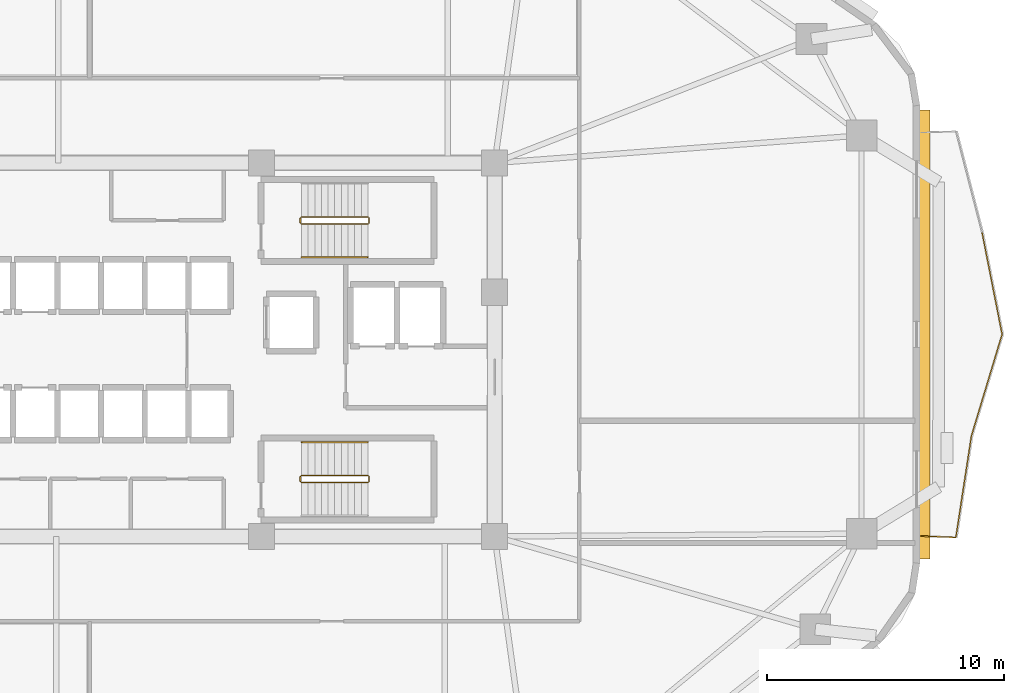
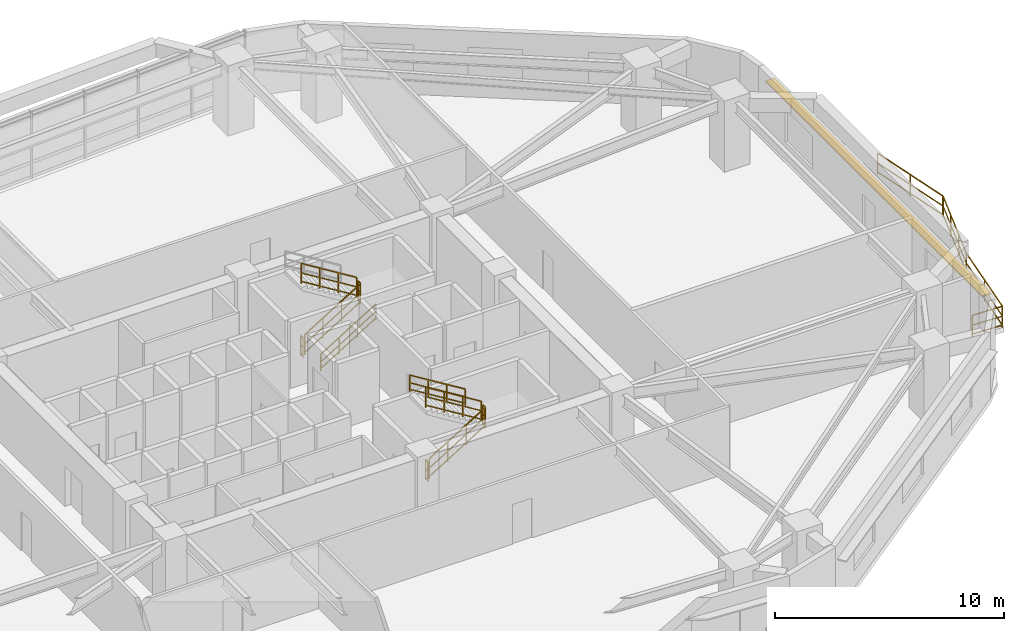
# One storey, part 10 of 11: 14 railings, 1 shading device.
"""IFC4 building model written with IfcOpenShell, lengths in metres."""

import ifcopenshell
import ifcopenshell.guid

model = None  # the IFC model being written
_history = None  # IfcOwnerHistory: only IFC2X3 demands one
_inside = {}  # id of a spatial element -> (the spatial element, [elements in it])
_under = {}  # id of a project, library or spatial element -> (it, [spatial elements below it])
_declared = {}  # id of a project -> (the project, [libraries it declares])
_typed = {}  # id of a type object -> (the type object, [elements of that type])
_made_of = {}  # id of a material, layer set ... -> (it, [elements and type objects made of it])


def new_model(schema):
    """Start an empty IFC model of exactly this schema.

    Asked for "IFC4X3", IfcOpenShell would pick the latest addendum, in which some entities
    have other attributes; the version numbers below select the first issue.
    IFC2X3 requires an IfcOwnerHistory on every rooted entity: one is made here for all.
    """
    global model, _history
    if schema == "IFC4X3":
        model = ifcopenshell.file(schema_version=(4, 3, 0, 0))
    else:
        model = ifcopenshell.file(schema=schema)
    _inside.clear()
    _under.clear()
    _declared.clear()
    _typed.clear()
    _made_of.clear()
    _history = None
    if model.schema == "IFC2X3":
        org = make("IfcOrganization", Name="unknown")
        user = make(
            "IfcPersonAndOrganization",
            ThePerson=make("IfcPerson", FamilyName="unknown"),
            TheOrganization=org,
        )
        app = make(
            "IfcApplication",
            ApplicationDeveloper=org,
            Version="unknown",
            ApplicationFullName="unknown",
            ApplicationIdentifier="unknown",
        )
        _history = make(
            "IfcOwnerHistory",
            OwningUser=user,
            OwningApplication=app,
            ChangeAction="ADDED",
            CreationDate=0,
        )
    return model


def make(cls, **values):
    """One entity of the class cls with the attributes given. An attribute that is None is left unset."""
    return model.create_entity(
        cls, **{name: value for name, value in values.items() if value is not None}
    )


def rooted(cls, **values):
    """An entity with a GlobalId (a new one), such as an element, a storey or a relation."""
    return make(cls, GlobalId=ifcopenshell.guid.new(), OwnerHistory=_history, **values)


def si_unit(unit_type, name, prefix=None):
    """IfcSIUnit, for example si_unit("LENGTHUNIT", "METRE", prefix="MILLI")."""
    return make("IfcSIUnit", UnitType=unit_type, Prefix=prefix, Name=name)


def assignment(units):
    """IfcUnitAssignment: the units of a project."""
    return None if units is None else make("IfcUnitAssignment", Units=units)


def point(xyz):
    """IfcCartesianPoint."""
    return None if xyz is None else make("IfcCartesianPoint", Coordinates=xyz)


def direction(xyz):
    """IfcDirection."""
    return None if xyz is None else make("IfcDirection", DirectionRatios=xyz)


def frame(location, z_axis=None, x_axis=None):
    """IfcAxis2Placement3D, a coordinate frame: its origin and axes. An axis left out is left unset."""
    return make(
        "IfcAxis2Placement3D",
        Location=point(location),
        Axis=direction(z_axis),
        RefDirection=direction(x_axis),
    )


def frame_2d(location, x_axis=None):
    """IfcAxis2Placement2D, a coordinate frame in the plane: its origin and x axis."""
    return make(
        "IfcAxis2Placement2D", Location=point(location), RefDirection=direction(x_axis)
    )


def origin():
    """The frame at (0, 0, 0) with its axes left unset."""
    return frame((0.0, 0.0, 0.0))


def origin_2d():
    """The frame at (0, 0) in the plane with its x axis left unset."""
    return frame_2d((0.0, 0.0))


def place(relative_to, where):
    """IfcLocalPlacement: puts the frame where relative to a parent placement (None: the world)."""
    return make(
        "IfcLocalPlacement", PlacementRelTo=relative_to, RelativePlacement=where
    )


def context(
    kind, dimensions, precision=None, world=None, true_north=None, identifier=None
):
    """IfcGeometricRepresentationContext, for example the 3D "Model" context."""
    return make(
        "IfcGeometricRepresentationContext",
        ContextIdentifier=identifier,
        ContextType=kind,
        CoordinateSpaceDimension=dimensions,
        Precision=precision,
        WorldCoordinateSystem=world,
        TrueNorth=true_north,
    )


def subcontext(parent, identifier, kind, view, scale=None):
    """IfcGeometricRepresentationSubContext, for example "Body" below "Model"."""
    return make(
        "IfcGeometricRepresentationSubContext",
        ContextIdentifier=identifier,
        ContextType=kind,
        ParentContext=parent,
        TargetScale=scale,
        TargetView=view,
    )


def project(units=None, contexts=None):
    """IfcProject with its units and contexts."""
    return rooted(
        "IfcProject",
        Name="project",
        RepresentationContexts=contexts,
        UnitsInContext=assignment(units),
    )


def spatial(cls, under=None, at=None, **own):
    """A site, building, storey or space (cls), placed at a placement, below another one or the project."""
    s = rooted(cls, ObjectPlacement=at, **own)
    if under is not None:
        _under.setdefault(under.id(), (under, []))[1].append(s)
    return s


def profile(cls, at=None, kind="AREA", **sizes):
    """A parametric profile (cls). Its sizes go by their IFC names, for example OverallWidth=200.0."""
    return make(cls, ProfileType=kind, Position=at, **sizes)


def rectangle(**sizes):
    """IfcRectangleProfileDef."""
    return profile("IfcRectangleProfileDef", **sizes)


def extrude(swept, where, along, depth):
    """IfcExtrudedAreaSolid: the profile swept, set in the frame where, extruded along a direction by depth."""
    return make(
        "IfcExtrudedAreaSolid",
        SweptArea=swept,
        Position=where,
        ExtrudedDirection=direction(along),
        Depth=depth,
    )


def shape(context_of_items, identifier, shape_type, items):
    """IfcShapeRepresentation: the items that make up one representation, for example the "Body"."""
    return make(
        "IfcShapeRepresentation",
        ContextOfItems=context_of_items,
        RepresentationIdentifier=identifier,
        RepresentationType=shape_type,
        Items=items,
    )


def material(Name=None, Category=None):
    """IfcMaterial."""
    return make("IfcMaterial", Name=Name, Category=Category)


def layer(
    of_material, thickness, ventilated=None, Name=None, Category=None, Priority=None
):
    """IfcMaterialLayer: one layer of a wall or slab, of a material (None: an air gap)."""
    return make(
        "IfcMaterialLayer",
        Material=of_material,
        LayerThickness=thickness,
        IsVentilated=ventilated,
        Name=Name,
        Category=Category,
        Priority=Priority,
    )


def layer_set(layers, Name=None):
    """IfcMaterialLayerSet."""
    return make("IfcMaterialLayerSet", MaterialLayers=layers, LayerSetName=Name)


def made_of(thing, what):
    """Note that an element or type object is made of a material, layer set ...; save() writes the relation."""
    if what is not None:
        _made_of.setdefault(what.id(), (what, []))[1].append(thing)
    return thing


def type_object(cls, material=None, **own):
    """A type object (cls), such as IfcWallType, which elements share."""
    return made_of(rooted(cls, **own), material)


def element(
    cls,
    number,
    at=None,
    inside=None,
    cuts=None,
    type_object=None,
    material=None,
    context=None,
    identifier="Body",
    shape_type=None,
    held_by="IfcProductDefinitionShape",
    body=None,
    shapes=None,
    **own,
):
    """One element of the class cls, such as IfcWall. Its Tag is "e" and its number.

    at: its placement. inside: the storey or other place that contains it. cuts: it is an
    opening in that element (IfcRelVoidsElement). A single representation is given by context,
    identifier, shape_type and body (its items); several are given by shapes. held_by: the class
    of the entity that holds the representations. save() writes the other relations.
    """
    e = rooted(cls, Tag="e%d" % number, ObjectPlacement=at, **own)
    if body is not None:
        shapes = [shape(context, identifier, shape_type, body)]
    if shapes is not None:
        e.Representation = make(held_by, Representations=shapes)
    if inside is not None:
        _inside.setdefault(inside.id(), (inside, []))[1].append(e)
    if cuts is not None:
        rooted(
            "IfcRelVoidsElement", RelatingBuildingElement=cuts, RelatedOpeningElement=e
        )
    if type_object is not None:
        _typed.setdefault(type_object.id(), (type_object, []))[1].append(e)
    return made_of(e, material)


def aggregate(whole, parts):
    """IfcRelAggregates: a whole, such as a stair, and the parts it consists of."""
    return rooted("IfcRelAggregates", RelatingObject=whole, RelatedObjects=parts)


def save(model, path):
    """Write the relations noted so far, then the file.

    IfcRelAggregates (storeys below a building ...), IfcRelContainedInSpatialStructure (elements
    in a storey), IfcRelDefinesByType, IfcRelAssociatesMaterial and IfcRelDeclares: one each for
    every whole, place, type object, material and project.
    """
    for whole, parts in _under.values():
        aggregate(whole, parts)
    for where, things in _inside.values():
        rooted(
            "IfcRelContainedInSpatialStructure",
            RelatedElements=things,
            RelatingStructure=where,
        )
    for kind, things in _typed.values():
        rooted("IfcRelDefinesByType", RelatedObjects=things, RelatingType=kind)
    for what, things in _made_of.values():
        rooted("IfcRelAssociatesMaterial", RelatedObjects=things, RelatingMaterial=what)
    for by, libraries in _declared.values():
        rooted("IfcRelDeclares", RelatingContext=by, RelatedDefinitions=libraries)
    model.write(path)


model = new_model("IFC4")

# Units and contexts
model_context = context("Model", 3, precision=1e-05, world=origin(), true_north=direction((0.0, 1.0)))
body_context = subcontext(model_context, "Body", "Model", "MODEL_VIEW")
ifc_project = project(units=[si_unit("LENGTHUNIT", "METRE"), si_unit("AREAUNIT", "SQUARE_METRE"), si_unit("VOLUMEUNIT", "CUBIC_METRE"), si_unit("PLANEANGLEUNIT", "RADIAN"), si_unit("MASSUNIT", "GRAM", prefix="KILO")], contexts=[model_context])

# Site, building, storey
site_placement = place(None, origin())
site = spatial("IfcSite", under=ifc_project, at=site_placement, CompositionType="ELEMENT")
building_placement = place(site_placement, origin())
building = spatial("IfcBuilding", under=site, at=building_placement, Name="Zulverin Broadcast Headquarters", CompositionType="ELEMENT")
storey_placement = place(building_placement, frame((0.0, 0.0, 32.60009765625)))
storey = spatial("IfcBuildingStorey", under=building, at=storey_placement, Name="L07", CompositionType="ELEMENT", Elevation=32.60009765625)

# Railings
ifc_material_1 = material(Name="Brushed stainless steel & laminated glass balustrade", Category="steel")
railing_type_1 = type_object("IfcRailingType", Name="RL-GUARD-1150", PredefinedType="GUARDRAIL", material=ifc_material_1)
railing_1_placement = place(storey_placement, frame((66.239990234375, 17.343505859375, 0.0)))
element("IfcRailing", 1, at=railing_1_placement, inside=storey, type_object=railing_type_1, Name="L07 Vertical-Forest Balcony Guardrail BAL_E Segment 01", PredefinedType="GUARDRAIL", context=body_context, shape_type="SweptSolid", body=[
    extrude(rectangle(XDim=0.048095703125, YDim=0.048095703125, at=origin_2d()), frame((0.0, 0.0, 1.1259765625), z_axis=(0.999174410196, -0.040626321628, 0.0), x_axis=(0.040626321628, 0.999174410196, 0.0)), (0.0, 0.0, 1.0), 1.46630859375),
    extrude(rectangle(XDim=0.0419921875, YDim=0.0419921875, at=origin_2d()), frame((0.0, 0.0, 0.597900390625), z_axis=(0.999174410196, -0.040626321628, 0.0), x_axis=(0.040626321628, 0.999174410196, 0.0)), (0.0, 0.0, 1.0), 1.46630859375),
    extrude(rectangle(XDim=0.0419921875, YDim=0.0419921875, at=origin_2d()), frame((0.0, 0.0, 0.1201171875), z_axis=(0.999174410196, -0.040626321628, 0.0), x_axis=(0.040626321628, 0.999174410196, 0.0)), (0.0, 0.0, 1.0), 1.46630859375),
    extrude(rectangle(XDim=0.0419921875, YDim=0.0419921875, at=origin_2d()), origin(), (0.0, 0.0, 1.0), 1.101806640625),
    extrude(rectangle(XDim=0.0419921875, YDim=0.0419921875, at=origin_2d()), frame((1.465087890625, -0.0595703125, 0.0)), (0.0, 0.0, 1.0), 1.101806640625),
])
railing_2_placement = place(storey_placement, frame((67.722412109375, 17.298095703125, 0.0)))
element("IfcRailing", 2, at=railing_2_placement, inside=storey, type_object=railing_type_1, Name="L07 Vertical-Forest Balcony Guardrail BAL_E Segment 02", PredefinedType="GUARDRAIL", context=body_context, shape_type="SweptSolid", body=[
    extrude(rectangle(XDim=0.048095703125, YDim=0.048095703125, at=origin_2d()), frame((0.0, 0.0, 1.1259765625), z_axis=(0.151430425604, 0.988467918651, 0.0), x_axis=(-0.988467918651, 0.151430425604, 0.0)), (0.0, 0.0, 1.0), 4.302978515625),
    extrude(rectangle(XDim=0.0419921875, YDim=0.0419921875, at=origin_2d()), frame((0.0, 0.0, 0.597900390625), z_axis=(0.151430425604, 0.988467918651, 0.0), x_axis=(-0.988467918651, 0.151430425604, 0.0)), (0.0, 0.0, 1.0), 4.302978515625),
    extrude(rectangle(XDim=0.0419921875, YDim=0.0419921875, at=origin_2d()), frame((0.0, 0.0, 0.1201171875), z_axis=(0.151430425604, 0.988467918651, 0.0), x_axis=(-0.988467918651, 0.151430425604, 0.0)), (0.0, 0.0, 1.0), 4.302978515625),
    extrude(rectangle(XDim=0.0419921875, YDim=0.0419921875, at=origin_2d()), origin(), (0.0, 0.0, 1.0), 1.101806640625),
    extrude(rectangle(XDim=0.0419921875, YDim=0.0419921875, at=origin_2d()), frame((0.32568359375, 2.126708984375, 0.0)), (0.0, 0.0, 1.0), 1.101806640625),
    extrude(rectangle(XDim=0.0419921875, YDim=0.0419921875, at=origin_2d()), frame((0.651611328125, 4.25341796875, 0.0)), (0.0, 0.0, 1.0), 1.101806640625),
])
railing_3_placement = place(storey_placement, frame((68.380615234375, 21.58056640625, 0.0)))
element("IfcRailing", 3, at=railing_3_placement, inside=storey, type_object=railing_type_1, Name="L07 Vertical-Forest Balcony Guardrail BAL_E Segment 03", PredefinedType="GUARDRAIL", context=body_context, shape_type="SweptSolid", body=[
    extrude(rectangle(XDim=0.048095703125, YDim=0.048095703125, at=origin_2d()), frame((0.0, 0.0, 1.1259765625), z_axis=(0.289202189183, 0.957268036535, 0.0), x_axis=(-0.957268036535, 0.289202189183, 0.0)), (0.0, 0.0, 1.0), 4.44384765625),
    extrude(rectangle(XDim=0.0419921875, YDim=0.0419921875, at=origin_2d()), frame((0.0, 0.0, 0.597900390625), z_axis=(0.289202189183, 0.957268036535, 0.0), x_axis=(-0.957268036535, 0.289202189183, 0.0)), (0.0, 0.0, 1.0), 4.44384765625),
    extrude(rectangle(XDim=0.0419921875, YDim=0.0419921875, at=origin_2d()), frame((0.0, 0.0, 0.1201171875), z_axis=(0.289202189183, 0.957268036535, 0.0), x_axis=(-0.957268036535, 0.289202189183, 0.0)), (0.0, 0.0, 1.0), 4.44384765625),
    extrude(rectangle(XDim=0.0419921875, YDim=0.0419921875, at=origin_2d()), origin(), (0.0, 0.0, 1.0), 1.101806640625),
    extrude(rectangle(XDim=0.0419921875, YDim=0.0419921875, at=origin_2d()), frame((0.428466796875, 1.41796875, 0.0)), (0.0, 0.0, 1.0), 1.101806640625),
    extrude(rectangle(XDim=0.0419921875, YDim=0.0419921875, at=origin_2d()), frame((0.856689453125, 2.8359375, 0.0)), (0.0, 0.0, 1.0), 1.101806640625),
    extrude(rectangle(XDim=0.0419921875, YDim=0.0419921875, at=origin_2d()), frame((1.28515625, 4.25390625, 0.0)), (0.0, 0.0, 1.0), 1.101806640625),
])
railing_4_placement = place(storey_placement, frame((69.6669921875, 25.863525390625, 0.0)))
element("IfcRailing", 4, at=railing_4_placement, inside=storey, type_object=railing_type_1, Name="L07 Vertical-Forest Balcony Guardrail BAL_E Segment 04", PredefinedType="GUARDRAIL", context=body_context, shape_type="SweptSolid", body=[
    extrude(rectangle(XDim=0.048095703125, YDim=0.048095703125, at=origin_2d()), frame((0.0, 0.0, 1.1259765625), z_axis=(-0.193386256329, 0.981122701737, 0.0), x_axis=(-0.981122701737, -0.193386256329, 0.0)), (0.0, 0.0, 1.0), 4.335205078125),
    extrude(rectangle(XDim=0.0419921875, YDim=0.0419921875, at=origin_2d()), frame((0.0, 0.0, 0.597900390625), z_axis=(-0.193386256329, 0.981122701737, 0.0), x_axis=(-0.981122701737, -0.193386256329, 0.0)), (0.0, 0.0, 1.0), 4.335205078125),
    extrude(rectangle(XDim=0.0419921875, YDim=0.0419921875, at=origin_2d()), frame((0.0, 0.0, 0.1201171875), z_axis=(-0.193386256329, 0.981122701737, 0.0), x_axis=(-0.981122701737, -0.193386256329, 0.0)), (0.0, 0.0, 1.0), 4.335205078125),
    extrude(rectangle(XDim=0.0419921875, YDim=0.0419921875, at=origin_2d()), origin(), (0.0, 0.0, 1.0), 1.101806640625),
    extrude(rectangle(XDim=0.0419921875, YDim=0.0419921875, at=origin_2d()), frame((-0.419189453125, 2.126708984375, 0.0)), (0.0, 0.0, 1.0), 1.101806640625),
    extrude(rectangle(XDim=0.0419921875, YDim=0.0419921875, at=origin_2d()), frame((-0.83837890625, 4.25341796875, 0.0)), (0.0, 0.0, 1.0), 1.101806640625),
])
ifc_material_2 = material(Name="Painted galvanized steel tubular guardrail S355JR", Category="steel")
railing_type_2 = type_object("IfcRailingType", Name="RL-ST-GUARD", PredefinedType="GUARDRAIL", material=ifc_material_2)
railing_5_placement = place(storey_placement, frame((40.1298828125, 30.5, 0.172607421875)))
element("IfcRailing", 5, at=railing_5_placement, inside=storey, type_object=railing_type_2, Name="L07 ST-1 stair guard 1", PredefinedType="GUARDRAIL", context=body_context, shape_type="SweptSolid", body=[
    extrude(rectangle(XDim=0.048095703125, YDim=0.048095703125, at=origin_2d()), frame((0.0, 0.0, 1.076171875), z_axis=(0.851089632645, 0.0, 0.525020415988), x_axis=(0.0, 1.0, 0.0)), (0.0, 0.0, 1.0), 3.2900390625),
    extrude(rectangle(XDim=0.0419921875, YDim=0.0419921875, at=origin_2d()), frame((0.0, 0.0, 0.572021484375), z_axis=(0.851089632645, 0.0, 0.525020415988), x_axis=(0.0, 1.0, 0.0)), (0.0, 0.0, 1.0), 3.2900390625),
    extrude(rectangle(XDim=0.0419921875, YDim=0.0419921875, at=origin_2d()), frame((0.0, 0.0, 0.1201171875), z_axis=(0.851089632645, 0.0, 0.525020415988), x_axis=(0.0, 1.0, 0.0)), (0.0, 0.0, 1.0), 3.2900390625),
    extrude(rectangle(XDim=0.0419921875, YDim=0.0419921875, at=origin_2d()), origin(), (0.0, 0.0, 1.0), 1.052001953125),
    extrude(rectangle(XDim=0.0419921875, YDim=0.0419921875, at=origin_2d()), frame((0.933349609375, 0.0, 0.57568359375)), (0.0, 0.0, 1.0), 1.052001953125),
    extrude(rectangle(XDim=0.0419921875, YDim=0.0419921875, at=origin_2d()), frame((1.86669921875, 0.0, 1.151611328125)), (0.0, 0.0, 1.0), 1.052001953125),
    extrude(rectangle(XDim=0.0419921875, YDim=0.0419921875, at=origin_2d()), frame((2.800048828125, 0.0, 1.727294921875)), (0.0, 0.0, 1.0), 1.052001953125),
])
railing_6_placement = place(storey_placement, frame((42.97998046875, 30.550048828125, 1.89990234375)))
element("IfcRailing", 6, at=railing_6_placement, inside=storey, type_object=railing_type_2, Name="L07 ST-1 stair guard 2", PredefinedType="GUARDRAIL", context=body_context, shape_type="SweptSolid", body=[
    extrude(rectangle(XDim=0.048095703125, YDim=0.048095703125, at=origin_2d()), frame((0.0, 0.0, 1.076171875), z_axis=(0.0, 1.0, 0.0), x_axis=(-1.0, 0.0, 0.0)), (0.0, 0.0, 1.0), 0.199951171875),
    extrude(rectangle(XDim=0.0419921875, YDim=0.0419921875, at=origin_2d()), frame((0.0, 0.0, 0.572021484375), z_axis=(0.0, 1.0, 0.0), x_axis=(-1.0, 0.0, 0.0)), (0.0, 0.0, 1.0), 0.199951171875),
    extrude(rectangle(XDim=0.0419921875, YDim=0.0419921875, at=origin_2d()), frame((0.0, 0.0, 0.1201171875), z_axis=(0.0, 1.0, 0.0), x_axis=(-1.0, 0.0, 0.0)), (0.0, 0.0, 1.0), 0.199951171875),
    extrude(rectangle(XDim=0.0419921875, YDim=0.0419921875, at=origin_2d()), origin(), (0.0, 0.0, 1.0), 1.052001953125),
    extrude(rectangle(XDim=0.0419921875, YDim=0.0419921875, at=origin_2d()), frame((0.0, 0.199951171875, 0.0)), (0.0, 0.0, 1.0), 1.052001953125),
])
railing_7_placement = place(storey_placement, frame((42.929931640625, 30.800048828125, 2.072509765625)))
element("IfcRailing", 7, at=railing_7_placement, inside=storey, type_object=railing_type_2, Name="L07 ST-1 stair guard 3", PredefinedType="GUARDRAIL", context=body_context, shape_type="SweptSolid", body=[
    extrude(rectangle(XDim=0.048095703125, YDim=0.048095703125, at=origin_2d()), frame((0.0, 0.0, 1.076171875), z_axis=(-0.851089632645, 0.0, 0.525020415988), x_axis=(0.0, -1.0, 0.0)), (0.0, 0.0, 1.0), 3.2900390625),
    extrude(rectangle(XDim=0.0419921875, YDim=0.0419921875, at=origin_2d()), frame((0.0, 0.0, 0.572021484375), z_axis=(-0.851089632645, 0.0, 0.525020415988), x_axis=(0.0, -1.0, 0.0)), (0.0, 0.0, 1.0), 3.2900390625),
    extrude(rectangle(XDim=0.0419921875, YDim=0.0419921875, at=origin_2d()), frame((0.0, 0.0, 0.1201171875), z_axis=(-0.851089632645, 0.0, 0.525020415988), x_axis=(0.0, -1.0, 0.0)), (0.0, 0.0, 1.0), 3.2900390625),
    extrude(rectangle(XDim=0.0419921875, YDim=0.0419921875, at=origin_2d()), origin(), (0.0, 0.0, 1.0), 1.052001953125),
    extrude(rectangle(XDim=0.0419921875, YDim=0.0419921875, at=origin_2d()), frame((-0.933349609375, 0.0, 0.57568359375)), (0.0, 0.0, 1.0), 1.052001953125),
    extrude(rectangle(XDim=0.0419921875, YDim=0.0419921875, at=origin_2d()), frame((-1.86669921875, 0.0, 1.151611328125)), (0.0, 0.0, 1.0), 1.052001953125),
    extrude(rectangle(XDim=0.0419921875, YDim=0.0419921875, at=origin_2d()), frame((-2.800048828125, 0.0, 1.727294921875)), (0.0, 0.0, 1.0), 1.052001953125),
])
railing_8_placement = place(storey_placement, frame((40.080078125, 30.550048828125, 0.0)))
element("IfcRailing", 8, at=railing_8_placement, inside=storey, type_object=railing_type_2, Name="L07 ST-1 stair guard 4", PredefinedType="GUARDRAIL", context=body_context, shape_type="SweptSolid", body=[
    extrude(rectangle(XDim=0.048095703125, YDim=0.048095703125, at=origin_2d()), frame((0.0, 0.0, 1.076171875), z_axis=(0.0, 1.0, 0.0), x_axis=(-1.0, 0.0, 0.0)), (0.0, 0.0, 1.0), 0.199951171875),
    extrude(rectangle(XDim=0.0419921875, YDim=0.0419921875, at=origin_2d()), frame((0.0, 0.0, 0.572021484375), z_axis=(0.0, 1.0, 0.0), x_axis=(-1.0, 0.0, 0.0)), (0.0, 0.0, 1.0), 0.199951171875),
    extrude(rectangle(XDim=0.0419921875, YDim=0.0419921875, at=origin_2d()), frame((0.0, 0.0, 0.1201171875), z_axis=(0.0, 1.0, 0.0), x_axis=(-1.0, 0.0, 0.0)), (0.0, 0.0, 1.0), 0.199951171875),
    extrude(rectangle(XDim=0.0419921875, YDim=0.0419921875, at=origin_2d()), origin(), (0.0, 0.0, 1.0), 1.052001953125),
    extrude(rectangle(XDim=0.0419921875, YDim=0.0419921875, at=origin_2d()), frame((0.0, 0.199951171875, 0.0)), (0.0, 0.0, 1.0), 1.052001953125),
])
railing_9_placement = place(storey_placement, frame((40.1298828125, 19.60009765625, 0.172607421875)))
element("IfcRailing", 9, at=railing_9_placement, inside=storey, type_object=railing_type_2, Name="L07 ST-2 stair guard 1", PredefinedType="GUARDRAIL", context=body_context, shape_type="SweptSolid", body=[
    extrude(rectangle(XDim=0.048095703125, YDim=0.048095703125, at=origin_2d()), frame((0.0, 0.0, 1.076171875), z_axis=(0.851089632645, 0.0, 0.525020415988), x_axis=(0.0, 1.0, 0.0)), (0.0, 0.0, 1.0), 3.2900390625),
    extrude(rectangle(XDim=0.0419921875, YDim=0.0419921875, at=origin_2d()), frame((0.0, 0.0, 0.572021484375), z_axis=(0.851089632645, 0.0, 0.525020415988), x_axis=(0.0, 1.0, 0.0)), (0.0, 0.0, 1.0), 3.2900390625),
    extrude(rectangle(XDim=0.0419921875, YDim=0.0419921875, at=origin_2d()), frame((0.0, 0.0, 0.1201171875), z_axis=(0.851089632645, 0.0, 0.525020415988), x_axis=(0.0, 1.0, 0.0)), (0.0, 0.0, 1.0), 3.2900390625),
    extrude(rectangle(XDim=0.0419921875, YDim=0.0419921875, at=origin_2d()), origin(), (0.0, 0.0, 1.0), 1.052001953125),
    extrude(rectangle(XDim=0.0419921875, YDim=0.0419921875, at=origin_2d()), frame((0.933349609375, 0.0, 0.57568359375)), (0.0, 0.0, 1.0), 1.052001953125),
    extrude(rectangle(XDim=0.0419921875, YDim=0.0419921875, at=origin_2d()), frame((1.86669921875, 0.0, 1.151611328125)), (0.0, 0.0, 1.0), 1.052001953125),
    extrude(rectangle(XDim=0.0419921875, YDim=0.0419921875, at=origin_2d()), frame((2.800048828125, 0.0, 1.727294921875)), (0.0, 0.0, 1.0), 1.052001953125),
])
railing_10_placement = place(storey_placement, frame((42.97998046875, 19.64990234375, 1.89990234375)))
element("IfcRailing", 10, at=railing_10_placement, inside=storey, type_object=railing_type_2, Name="L07 ST-2 stair guard 2", PredefinedType="GUARDRAIL", context=body_context, shape_type="SweptSolid", body=[
    extrude(rectangle(XDim=0.048095703125, YDim=0.048095703125, at=origin_2d()), frame((0.0, 0.0, 1.076171875), z_axis=(0.0, 1.0, 0.0), x_axis=(-1.0, 0.0, 0.0)), (0.0, 0.0, 1.0), 0.2001953125),
    extrude(rectangle(XDim=0.0419921875, YDim=0.0419921875, at=origin_2d()), frame((0.0, 0.0, 0.572021484375), z_axis=(0.0, 1.0, 0.0), x_axis=(-1.0, 0.0, 0.0)), (0.0, 0.0, 1.0), 0.2001953125),
    extrude(rectangle(XDim=0.0419921875, YDim=0.0419921875, at=origin_2d()), frame((0.0, 0.0, 0.1201171875), z_axis=(0.0, 1.0, 0.0), x_axis=(-1.0, 0.0, 0.0)), (0.0, 0.0, 1.0), 0.2001953125),
    extrude(rectangle(XDim=0.0419921875, YDim=0.0419921875, at=origin_2d()), origin(), (0.0, 0.0, 1.0), 1.052001953125),
    extrude(rectangle(XDim=0.0419921875, YDim=0.0419921875, at=origin_2d()), frame((0.0, 0.2001953125, 0.0)), (0.0, 0.0, 1.0), 1.052001953125),
])
railing_11_placement = place(storey_placement, frame((42.929931640625, 19.89990234375, 2.072509765625)))
element("IfcRailing", 11, at=railing_11_placement, inside=storey, type_object=railing_type_2, Name="L07 ST-2 stair guard 3", PredefinedType="GUARDRAIL", context=body_context, shape_type="SweptSolid", body=[
    extrude(rectangle(XDim=0.048095703125, YDim=0.048095703125, at=origin_2d()), frame((0.0, 0.0, 1.076171875), z_axis=(-0.851089632645, 0.0, 0.525020415988), x_axis=(0.0, -1.0, 0.0)), (0.0, 0.0, 1.0), 3.2900390625),
    extrude(rectangle(XDim=0.0419921875, YDim=0.0419921875, at=origin_2d()), frame((0.0, 0.0, 0.572021484375), z_axis=(-0.851089632645, 0.0, 0.525020415988), x_axis=(0.0, -1.0, 0.0)), (0.0, 0.0, 1.0), 3.2900390625),
    extrude(rectangle(XDim=0.0419921875, YDim=0.0419921875, at=origin_2d()), frame((0.0, 0.0, 0.1201171875), z_axis=(-0.851089632645, 0.0, 0.525020415988), x_axis=(0.0, -1.0, 0.0)), (0.0, 0.0, 1.0), 3.2900390625),
    extrude(rectangle(XDim=0.0419921875, YDim=0.0419921875, at=origin_2d()), origin(), (0.0, 0.0, 1.0), 1.052001953125),
    extrude(rectangle(XDim=0.0419921875, YDim=0.0419921875, at=origin_2d()), frame((-0.933349609375, 0.0, 0.57568359375)), (0.0, 0.0, 1.0), 1.052001953125),
    extrude(rectangle(XDim=0.0419921875, YDim=0.0419921875, at=origin_2d()), frame((-1.86669921875, 0.0, 1.151611328125)), (0.0, 0.0, 1.0), 1.052001953125),
    extrude(rectangle(XDim=0.0419921875, YDim=0.0419921875, at=origin_2d()), frame((-2.800048828125, 0.0, 1.727294921875)), (0.0, 0.0, 1.0), 1.052001953125),
])
railing_12_placement = place(storey_placement, frame((40.080078125, 19.64990234375, 0.0)))
element("IfcRailing", 12, at=railing_12_placement, inside=storey, type_object=railing_type_2, Name="L07 ST-2 stair guard 4", PredefinedType="GUARDRAIL", context=body_context, shape_type="SweptSolid", body=[
    extrude(rectangle(XDim=0.048095703125, YDim=0.048095703125, at=origin_2d()), frame((0.0, 0.0, 1.076171875), z_axis=(0.0, 1.0, 0.0), x_axis=(-1.0, 0.0, 0.0)), (0.0, 0.0, 1.0), 0.2001953125),
    extrude(rectangle(XDim=0.0419921875, YDim=0.0419921875, at=origin_2d()), frame((0.0, 0.0, 0.572021484375), z_axis=(0.0, 1.0, 0.0), x_axis=(-1.0, 0.0, 0.0)), (0.0, 0.0, 1.0), 0.2001953125),
    extrude(rectangle(XDim=0.0419921875, YDim=0.0419921875, at=origin_2d()), frame((0.0, 0.0, 0.1201171875), z_axis=(0.0, 1.0, 0.0), x_axis=(-1.0, 0.0, 0.0)), (0.0, 0.0, 1.0), 0.2001953125),
    extrude(rectangle(XDim=0.0419921875, YDim=0.0419921875, at=origin_2d()), origin(), (0.0, 0.0, 1.0), 1.052001953125),
    extrude(rectangle(XDim=0.0419921875, YDim=0.0419921875, at=origin_2d()), frame((0.0, 0.2001953125, 0.0)), (0.0, 0.0, 1.0), 1.052001953125),
])
ifc_material_3 = material(Name="Brushed stainless steel 48 mm handrail", Category="steel")
railing_type_3 = type_object("IfcRailingType", Name="RL-ST-HAND", PredefinedType="HANDRAIL", material=ifc_material_3)
railing_13_placement = place(storey_placement, frame((40.1298828125, 29.10009765625, 0.172607421875)))
element("IfcRailing", 13, at=railing_13_placement, inside=storey, type_object=railing_type_3, Name="L07 ST-1 stair handrail 1", PredefinedType="HANDRAIL", context=body_context, shape_type="SweptSolid", body=[
    extrude(rectangle(XDim=0.048095703125, YDim=0.048095703125, at=origin_2d()), frame((0.0, 0.0, 0.8759765625), z_axis=(0.851089632645, 0.0, 0.525020415988), x_axis=(0.0, 1.0, 0.0)), (0.0, 0.0, 1.0), 3.2900390625),
    extrude(rectangle(XDim=0.0419921875, YDim=0.0419921875, at=origin_2d()), frame((0.0, 0.0, 0.468017578125), z_axis=(0.851089632645, 0.0, 0.525020415988), x_axis=(0.0, 1.0, 0.0)), (0.0, 0.0, 1.0), 3.2900390625),
    extrude(rectangle(XDim=0.0419921875, YDim=0.0419921875, at=origin_2d()), frame((0.0, 0.0, 0.1201171875), z_axis=(0.851089632645, 0.0, 0.525020415988), x_axis=(0.0, 1.0, 0.0)), (0.0, 0.0, 1.0), 3.2900390625),
    extrude(rectangle(XDim=0.0419921875, YDim=0.0419921875, at=origin_2d()), origin(), (0.0, 0.0, 1.0), 0.851806640625),
    extrude(rectangle(XDim=0.0419921875, YDim=0.0419921875, at=origin_2d()), frame((0.933349609375, 0.0, 0.57568359375)), (0.0, 0.0, 1.0), 0.851806640625),
    extrude(rectangle(XDim=0.0419921875, YDim=0.0419921875, at=origin_2d()), frame((1.86669921875, 0.0, 1.151611328125)), (0.0, 0.0, 1.0), 0.851806640625),
    extrude(rectangle(XDim=0.0419921875, YDim=0.0419921875, at=origin_2d()), frame((2.800048828125, 0.0, 1.727294921875)), (0.0, 0.0, 1.0), 0.851806640625),
])
railing_14_placement = place(storey_placement, frame((42.929931640625, 21.300048828125, 2.072509765625)))
element("IfcRailing", 14, at=railing_14_placement, inside=storey, type_object=railing_type_3, Name="L07 ST-2 stair handrail 2", PredefinedType="HANDRAIL", context=body_context, shape_type="SweptSolid", body=[
    extrude(rectangle(XDim=0.048095703125, YDim=0.048095703125, at=origin_2d()), frame((0.0, 0.0, 0.8759765625), z_axis=(-0.851089632645, 0.0, 0.525020415988), x_axis=(0.0, -1.0, 0.0)), (0.0, 0.0, 1.0), 3.2900390625),
    extrude(rectangle(XDim=0.0419921875, YDim=0.0419921875, at=origin_2d()), frame((0.0, 0.0, 0.468017578125), z_axis=(-0.851089632645, 0.0, 0.525020415988), x_axis=(0.0, -1.0, 0.0)), (0.0, 0.0, 1.0), 3.2900390625),
    extrude(rectangle(XDim=0.0419921875, YDim=0.0419921875, at=origin_2d()), frame((0.0, 0.0, 0.1201171875), z_axis=(-0.851089632645, 0.0, 0.525020415988), x_axis=(0.0, -1.0, 0.0)), (0.0, 0.0, 1.0), 3.2900390625),
    extrude(rectangle(XDim=0.0419921875, YDim=0.0419921875, at=origin_2d()), origin(), (0.0, 0.0, 1.0), 0.851806640625),
    extrude(rectangle(XDim=0.0419921875, YDim=0.0419921875, at=origin_2d()), frame((-0.933349609375, 0.0, 0.57568359375)), (0.0, 0.0, 1.0), 0.851806640625),
    extrude(rectangle(XDim=0.0419921875, YDim=0.0419921875, at=origin_2d()), frame((-1.86669921875, 0.0, 1.151611328125)), (0.0, 0.0, 1.0), 0.851806640625),
    extrude(rectangle(XDim=0.0419921875, YDim=0.0419921875, at=origin_2d()), frame((-2.800048828125, 0.0, 1.727294921875)), (0.0, 0.0, 1.0), 0.851806640625),
])

# Shading device
ifc_material_4 = material(Name="Anodized pale-metal aluminium sunshade", Category="aluminium")
ifc_layer = layer(ifc_material_4, 0.06005859375, Name="Anodized pale-metal aluminium sunshade", Category="aluminium")
ifc_layer_set = layer_set([ifc_layer], Name="Anodized pale-metal aluminium sunshade")
shading_device_type = type_object("IfcShadingDeviceType", Name="SS-01_PALE_METAL_ALUMINIUM_SUNSHADE", PredefinedType="USERDEFINED", material=ifc_layer_set)
shading_device_placement = place(storey_placement, frame((66.39990234375, 25.848876953125, 2.7099609375), z_axis=(0.0, 0.0, 1.0), x_axis=(0.0, 1.0, 0.0)))
element("IfcShadingDevice", 15, at=shading_device_placement, inside=storey, type_object=shading_device_type, Name="L07 Horizontal Pale-Metal Sunshade Band 3", ObjectType="SUNSHADE", PredefinedType="USERDEFINED", context=body_context, shape_type="SweptSolid", body=[
    extrude(rectangle(XDim=18.93115234375, YDim=0.449951171875, at=origin_2d()), origin(), (0.0, 0.0, 1.0), 0.06005859375),
])

save(model, "model.ifc")
